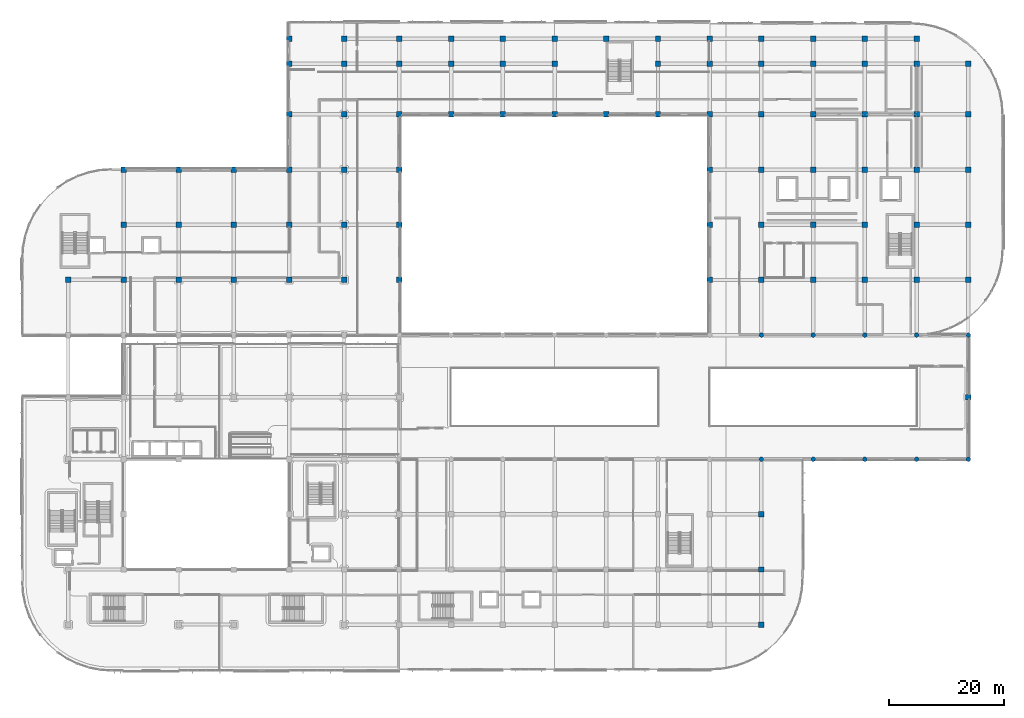
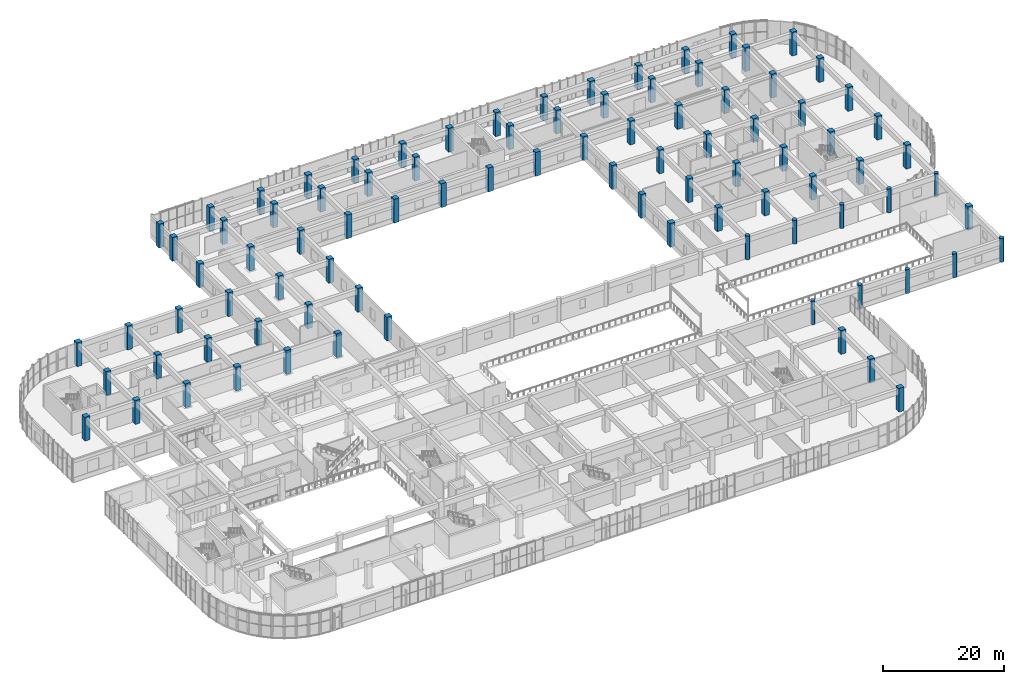
# One storey, part 3 of 86: 91 columns.
"""IFC4 building model written with IfcOpenShell, lengths in metres."""

from ifc_helpers import new_model, si_unit, direction, frame, origin, origin_2d, place, context, subcontext, project, spatial, rectangle, circle, extrude, material, material_profile, profile_set, type_object, element, save


model = new_model("IFC4")

# Units and contexts
model_context = context("Model", 3, precision=1e-05, world=origin(), true_north=direction((0.0, 1.0)))
body_context = subcontext(model_context, "Body", "Model", "MODEL_VIEW")
ifc_project = project(units=[si_unit("LENGTHUNIT", "METRE"), si_unit("AREAUNIT", "SQUARE_METRE"), si_unit("VOLUMEUNIT", "CUBIC_METRE"), si_unit("PLANEANGLEUNIT", "RADIAN"), si_unit("MASSUNIT", "GRAM", prefix="KILO")], contexts=[model_context])

# Site, building, storey
site_placement = place(None, origin())
site = spatial("IfcSite", under=ifc_project, at=site_placement, CompositionType="ELEMENT")
building_placement = place(site_placement, origin())
building = spatial("IfcBuilding", under=site, at=building_placement, Name="Cendralis Terraced Arcade", CompositionType="ELEMENT")
storey_placement = place(building_placement, frame((0.0, 0.0, 5.39990234375)))
storey = spatial("IfcBuildingStorey", under=building, at=storey_placement, Name="L01", CompositionType="ELEMENT", Elevation=5.39990234375)

# Columns
ifc_material = material(Name="Concrete f'c 42 MPa", Category="concrete")
ifc_material_profile_1 = material_profile(ifc_material, rectangle(XDim=0.949951171875, YDim=0.949951171875, at=origin_2d()), Name="RC-COL-950x950", Category="LoadBearing")
ifc_profile_set_1 = profile_set([ifc_material_profile_1], Name="Concrete f'c 42 MPa")
column_type_1 = type_object("IfcColumnType", Name="COL-950", PredefinedType="COLUMN", material=ifc_profile_set_1)
for number, where, z_axis, x_axis, name in (
    (1, (85.199951171875, 98.39990234375, 0.0), (0.0, 0.0, 1.0), (1.0, 0.0, 0.0), "Reinforced Concrete Column 10-L (L01)"),
    (2, (85.199951171875, 107.199951171875, 0.0), (0.0, 0.0, 1.0), (1.0, 0.0, 0.0), "Reinforced Concrete Column 10-M (L01)"),
    (3, (85.199951171875, 111.60009765625, 0.0), (0.0, 0.0, 1.0), (1.0, 0.0, 0.0), "Reinforced Concrete Column 10-N (L01)"),
    (4, (94.199951171875, 98.39990234375, 0.0), (0.0, 0.0, 1.0), (1.0, 0.0, 0.0), "Reinforced Concrete Column 11-L (L01)"),
    (5, (94.199951171875, 107.199951171875, 0.0), (0.0, 0.0, 1.0), (1.0, 0.0, 0.0), "Reinforced Concrete Column 11-M (L01)"),
    (6, (94.199951171875, 111.60009765625, 0.0), (0.0, 0.0, 1.0), (1.0, 0.0, 0.0), "Reinforced Concrete Column 11-N (L01)"),
    (7, (103.199951171875, 98.39990234375, 0.0), (0.0, 0.0, 1.0), (1.0, 0.0, 0.0), "Reinforced Concrete Column 12-L (L01)"),
    (8, (103.199951171875, 111.60009765625, 0.0), (0.0, 0.0, 1.0), (1.0, 0.0, 0.0), "Reinforced Concrete Column 12-N (L01)"),
    (9, (112.199951171875, 98.39990234375, 0.0), (0.0, 0.0, 1.0), (1.0, 0.0, 0.0), "Reinforced Concrete Column 13-L (L01)"),
    (10, (112.199951171875, 107.199951171875, 0.0), (0.0, 0.0, 1.0), (1.0, 0.0, 0.0), "Reinforced Concrete Column 13-M (L01)"),
    (11, (112.199951171875, 111.60009765625, 0.0), (0.0, 0.0, 1.0), (1.0, 0.0, 0.0), "Reinforced Concrete Column 13-N (L01)"),
    (12, (121.199951171875, 69.60009765625, 0.0), (0.0, 0.0, 1.0), (1.0, 0.0, 0.0), "Reinforced Concrete Column 14-H (L01)"),
    (13, (121.199951171875, 79.199951171875, 0.0), (0.0, 0.0, 1.0), (1.0, 0.0, 0.0), "Reinforced Concrete Column 14-J (L01)"),
    (14, (121.199951171875, 88.800048828125, 0.0), (0.0, 0.0, 1.0), (1.0, 0.0, 0.0), "Reinforced Concrete Column 14-K (L01)"),
    (15, (121.199951171875, 98.39990234375, 0.0), (0.0, 0.0, 1.0), (1.0, 0.0, 0.0), "Reinforced Concrete Column 14-L (L01)"),
    (16, (121.199951171875, 107.199951171875, 0.0), (0.0, 0.0, 1.0), (1.0, 0.0, 0.0), "Reinforced Concrete Column 14-M (L01)"),
    (17, (121.199951171875, 111.60009765625, 0.0), (0.0, 0.0, 1.0), (1.0, 0.0, 0.0), "Reinforced Concrete Column 14-N (L01)"),
    (18, (130.199951171875, 9.60009765625, 0.0), (0.0, 0.0, 1.0), (1.0, 0.0, 0.0), "Reinforced Concrete Column 15-B (L01)"),
    (19, (130.199951171875, 19.199951171875, 0.0), (0.0, 0.0, 1.0), (1.0, 0.0, 0.0), "Reinforced Concrete Column 15-C (L01)"),
    (20, (130.199951171875, 28.800048828125, 0.0), (0.0, 0.0, 1.0), (1.0, 0.0, 0.0), "Reinforced Concrete Column 15-D (L01)"),
    (21, (130.199951171875, 69.60009765625, 0.0), (0.0, 0.0, 1.0), (1.0, 0.0, 0.0), "Reinforced Concrete Column 15-H (L01)"),
    (22, (130.199951171875, 79.199951171875, 0.0), (0.0, 0.0, 1.0), (1.0, 0.0, 0.0), "Reinforced Concrete Column 15-J (L01)"),
    (23, (130.199951171875, 88.800048828125, 0.0), (0.0, 0.0, 1.0), (1.0, 0.0, 0.0), "Reinforced Concrete Column 15-K (L01)"),
    (24, (130.199951171875, 98.39990234375, 0.0), (0.0, 0.0, 1.0), (1.0, 0.0, 0.0), "Reinforced Concrete Column 15-L (L01)"),
    (25, (130.199951171875, 107.199951171875, 0.0), (0.0, 0.0, 1.0), (1.0, 0.0, 0.0), "Reinforced Concrete Column 15-M (L01)"),
    (26, (130.199951171875, 111.60009765625, 0.0), (0.0, 0.0, 1.0), (1.0, 0.0, 0.0), "Reinforced Concrete Column 15-N (L01)"),
    (27, (139.199951171875, 69.60009765625, 0.0), (0.0, 0.0, 1.0), (1.0, 0.0, 0.0), "Reinforced Concrete Column 16-H (L01)"),
    (28, (139.199951171875, 79.199951171875, 0.0), (0.0, 0.0, 1.0), (1.0, 0.0, 0.0), "Reinforced Concrete Column 16-J (L01)"),
    (29, (139.199951171875, 88.800048828125, 0.0), (0.0, 0.0, 1.0), (1.0, 0.0, 0.0), "Reinforced Concrete Column 16-K (L01)"),
    (30, (139.199951171875, 98.39990234375, 0.0), (0.0, 0.0, 1.0), (1.0, 0.0, 0.0), "Reinforced Concrete Column 16-L (L01)"),
    (31, (139.199951171875, 107.199951171875, 0.0), (0.0, 0.0, 1.0), (1.0, 0.0, 0.0), "Reinforced Concrete Column 16-M (L01)"),
    (32, (139.199951171875, 111.60009765625, 0.0), (0.0, 0.0, 1.0), (1.0, 0.0, 0.0), "Reinforced Concrete Column 16-N (L01)"),
    (33, (148.199951171875, 69.60009765625, 0.0), (0.0, 0.0, 1.0), (1.0, 0.0, 0.0), "Reinforced Concrete Column 17-H (L01)"),
    (34, (148.199951171875, 79.199951171875, 0.0), (0.0, 0.0, 1.0), (1.0, 0.0, 0.0), "Reinforced Concrete Column 17-J (L01)"),
    (35, (148.199951171875, 88.800048828125, 0.0), (0.0, 0.0, 1.0), (1.0, 0.0, 0.0), "Reinforced Concrete Column 17-K (L01)"),
    (36, (148.199951171875, 98.39990234375, 0.0), (0.0, 0.0, 1.0), (1.0, 0.0, 0.0), "Reinforced Concrete Column 17-L (L01)"),
    (37, (148.199951171875, 107.199951171875, 0.0), (0.0, 0.0, 1.0), (1.0, 0.0, 0.0), "Reinforced Concrete Column 17-M (L01)"),
    (38, (148.199951171875, 111.60009765625, 0.0), (0.0, 0.0, 1.0), (1.0, 0.0, 0.0), "Reinforced Concrete Column 17-N (L01)"),
    (39, (157.199951171875, 69.60009765625, 0.0), (0.0, 0.0, 1.0), (1.0, 0.0, 0.0), "Reinforced Concrete Column 18-H (L01)"),
    (40, (157.199951171875, 79.199951171875, 0.0), (0.0, 0.0, 1.0), (1.0, 0.0, 0.0), "Reinforced Concrete Column 18-J (L01)"),
    (41, (157.199951171875, 88.800048828125, 0.0), (0.0, 0.0, 1.0), (1.0, 0.0, 0.0), "Reinforced Concrete Column 18-K (L01)"),
    (42, (157.199951171875, 98.39990234375, 0.0), (0.0, 0.0, 1.0), (1.0, 0.0, 0.0), "Reinforced Concrete Column 18-L (L01)"),
    (43, (157.199951171875, 107.199951171875, 0.0), (0.0, 0.0, 1.0), (1.0, 0.0, 0.0), "Reinforced Concrete Column 18-M (L01)"),
    (44, (157.199951171875, 111.60009765625, 0.0), (0.0, 0.0, 1.0), (1.0, 0.0, 0.0), "Reinforced Concrete Column 18-N (L01)"),
    (45, (166.199951171875, 49.199951171875, 0.0), (0.0, 0.0, 1.0), (1.0, 0.0, 0.0), "Reinforced Concrete Column 19-F (L01)"),
    (46, (166.199951171875, 69.60009765625, 0.0), (0.0, 0.0, 1.0), (1.0, 0.0, 0.0), "Reinforced Concrete Column 19-H (L01)"),
    (47, (166.199951171875, 79.199951171875, 0.0), (0.0, 0.0, 1.0), (1.0, 0.0, 0.0), "Reinforced Concrete Column 19-J (L01)"),
    (48, (166.199951171875, 88.800048828125, 0.0), (0.0, 0.0, 1.0), (1.0, 0.0, 0.0), "Reinforced Concrete Column 19-K (L01)"),
    (49, (166.199951171875, 98.39990234375, 0.0), (0.0, 0.0, 1.0), (1.0, 0.0, 0.0), "Reinforced Concrete Column 19-L (L01)"),
    (50, (166.199951171875, 107.199951171875, 0.0), (0.0, 0.0, 1.0), (1.0, 0.0, 0.0), "Reinforced Concrete Column 19-M (L01)"),
    (51, (9.60009765625, 69.60009765625, 0.0), (0.0, 0.0, 1.0), (1.0, 0.0, 0.0), "Reinforced Concrete Column 2-H (L01)"),
    (52, (19.199951171875, 69.60009765625, 0.0), (0.0, 0.0, 1.0), (1.0, 0.0, 0.0), "Reinforced Concrete Column 3-H (L01)"),
    (53, (19.199951171875, 79.199951171875, 0.0), (0.0, 0.0, 1.0), (1.0, 0.0, 0.0), "Reinforced Concrete Column 3-J (L01)"),
    (54, (19.199951171875, 88.800048828125, 0.0), (0.0, 0.0, 1.0), (1.0, 0.0, 0.0), "Reinforced Concrete Column 3-K (L01)"),
    (55, (28.800048828125, 69.60009765625, 0.0), (0.0, 0.0, 1.0), (1.0, 0.0, 0.0), "Reinforced Concrete Column 4-H (L01)"),
    (56, (28.800048828125, 79.199951171875, 0.0), (0.0, 0.0, 1.0), (1.0, 0.0, 0.0), "Reinforced Concrete Column 4-J (L01)"),
    (57, (28.800048828125, 88.800048828125, 0.0), (0.0, 0.0, 1.0), (1.0, 0.0, 0.0), "Reinforced Concrete Column 4-K (L01)"),
    (58, (38.39990234375, 69.60009765625, 0.0), (0.0, 0.0, 1.0), (1.0, 0.0, 0.0), "Reinforced Concrete Column 5-H (L01)"),
    (59, (38.39990234375, 79.199951171875, 0.0), (0.0, 0.0, 1.0), (1.0, 0.0, 0.0), "Reinforced Concrete Column 5-J (L01)"),
    (60, (38.39990234375, 88.800048828125, 0.0), (0.0, 0.0, 1.0), (1.0, 0.0, 0.0), "Reinforced Concrete Column 5-K (L01)"),
    (61, (48.0, 69.60009765625, 0.0), (0.0, 0.0, 1.0), (1.0, 0.0, 0.0), "Reinforced Concrete Column 6-H (L01)"),
    (62, (48.0, 79.199951171875, 0.0), (0.0, 0.0, 1.0), (1.0, 0.0, 0.0), "Reinforced Concrete Column 6-J (L01)"),
    (63, (48.0, 88.800048828125, 0.0), (0.0, 0.0, 1.0), (1.0, 0.0, 0.0), "Reinforced Concrete Column 6-K (L01)"),
    (64, (48.0, 98.39990234375, 0.0), (0.0, 0.0, 1.0), (1.0, 0.0, 0.0), "Reinforced Concrete Column 6-L (L01)"),
    (65, (48.0, 107.199951171875, 0.0), (0.0, 0.0, 1.0), (1.0, 0.0, 0.0), "Reinforced Concrete Column 6-M (L01)"),
    (66, (48.0, 111.60009765625, 0.0), (0.0, 0.0, 1.0), (1.0, 0.0, 0.0), "Reinforced Concrete Column 6-N (L01)"),
    (67, (57.60009765625, 69.60009765625, 0.0), (0.0, 0.0, 1.0), (1.0, 0.0, 0.0), "Reinforced Concrete Column 7-H (L01)"),
    (68, (57.60009765625, 79.199951171875, 0.0), (0.0, 0.0, 1.0), (1.0, 0.0, 0.0), "Reinforced Concrete Column 7-J (L01)"),
    (69, (57.60009765625, 88.800048828125, 0.0), (0.0, 0.0, 1.0), (1.0, 0.0, 0.0), "Reinforced Concrete Column 7-K (L01)"),
    (70, (57.60009765625, 98.39990234375, 0.0), (0.0, 0.0, 1.0), (1.0, 0.0, 0.0), "Reinforced Concrete Column 7-L (L01)"),
    (71, (57.60009765625, 107.199951171875, 0.0), (0.0, 0.0, 1.0), (1.0, 0.0, 0.0), "Reinforced Concrete Column 7-M (L01)"),
    (72, (57.60009765625, 111.60009765625, 0.0), (0.0, 0.0, 1.0), (1.0, 0.0, 0.0), "Reinforced Concrete Column 7-N (L01)"),
    (73, (67.199951171875, 69.60009765625, 0.0), (0.0, 0.0, 1.0), (1.0, 0.0, 0.0), "Reinforced Concrete Column 8-H (L01)"),
    (74, (67.199951171875, 79.199951171875, 0.0), (0.0, 0.0, 1.0), (1.0, 0.0, 0.0), "Reinforced Concrete Column 8-J (L01)"),
    (75, (67.199951171875, 88.800048828125, 0.0), (0.0, 0.0, 1.0), (1.0, 0.0, 0.0), "Reinforced Concrete Column 8-K (L01)"),
    (76, (67.199951171875, 98.39990234375, 0.0), (0.0, 0.0, 1.0), (1.0, 0.0, 0.0), "Reinforced Concrete Column 8-L (L01)"),
    (77, (67.199951171875, 107.199951171875, 0.0), (0.0, 0.0, 1.0), (1.0, 0.0, 0.0), "Reinforced Concrete Column 8-M (L01)"),
    (78, (67.199951171875, 111.60009765625, 0.0), (0.0, 0.0, 1.0), (1.0, 0.0, 0.0), "Reinforced Concrete Column 8-N (L01)"),
    (79, (76.199951171875, 98.39990234375, 0.0), (0.0, 0.0, 1.0), (1.0, 0.0, 0.0), "Reinforced Concrete Column 9-L (L01)"),
    (80, (76.199951171875, 107.199951171875, 0.0), (0.0, 0.0, 1.0), (1.0, 0.0, 0.0), "Reinforced Concrete Column 9-M (L01)"),
    (81, (76.199951171875, 111.60009765625, 0.0), (0.0, 0.0, 1.0), (1.0, 0.0, 0.0), "Reinforced Concrete Column 9-N (L01)"),
):
    element("IfcColumn", number, at=place(storey_placement, frame(where, z_axis=z_axis, x_axis=x_axis)), inside=storey, type_object=column_type_1, Name=name, PredefinedType="COLUMN", context=body_context, shape_type="SweptSolid", body=[
        extrude(rectangle(XDim=0.949951171875, YDim=0.949951171875, at=origin_2d()), origin(), (0.0, 0.0, 1.0), 4.800048828125),
    ])
ifc_material_profile_2 = material_profile(ifc_material, circle(Radius=0.39990234375, at=origin_2d()), Name="RC-COL-D800", Category="LoadBearing")
ifc_profile_set_2 = profile_set([ifc_material_profile_2], Name="Concrete f'c 42 MPa")
column_type_2 = type_object("IfcColumnType", Name="COL-D800", PredefinedType="COLUMN", material=ifc_profile_set_2)
for number, where, z_axis, x_axis, name in (
    (82, (130.199951171875, 38.39990234375, 0.0), (0.0, 0.0, 1.0), (1.0, 0.0, 0.0), "Reinforced Concrete Column 15-E (L01)"),
    (83, (130.199951171875, 60.0, 0.0), (0.0, 0.0, 1.0), (1.0, 0.0, 0.0), "Reinforced Concrete Column 15-G (L01)"),
    (84, (139.199951171875, 38.39990234375, 0.0), (0.0, 0.0, 1.0), (1.0, 0.0, 0.0), "Reinforced Concrete Column 16-E (L01)"),
    (85, (139.199951171875, 60.0, 0.0), (0.0, 0.0, 1.0), (1.0, 0.0, 0.0), "Reinforced Concrete Column 16-G (L01)"),
    (86, (148.199951171875, 38.39990234375, 0.0), (0.0, 0.0, 1.0), (1.0, 0.0, 0.0), "Reinforced Concrete Column 17-E (L01)"),
    (87, (148.199951171875, 60.0, 0.0), (0.0, 0.0, 1.0), (1.0, 0.0, 0.0), "Reinforced Concrete Column 17-G (L01)"),
    (88, (157.199951171875, 38.39990234375, 0.0), (0.0, 0.0, 1.0), (1.0, 0.0, 0.0), "Reinforced Concrete Column 18-E (L01)"),
    (89, (157.199951171875, 60.0, 0.0), (0.0, 0.0, 1.0), (1.0, 0.0, 0.0), "Reinforced Concrete Column 18-G (L01)"),
    (90, (166.199951171875, 38.39990234375, 0.0), (0.0, 0.0, 1.0), (1.0, 0.0, 0.0), "Reinforced Concrete Column 19-E (L01)"),
    (91, (166.199951171875, 60.0, 0.0), (0.0, 0.0, 1.0), (1.0, 0.0, 0.0), "Reinforced Concrete Column 19-G (L01)"),
):
    element("IfcColumn", number, at=place(storey_placement, frame(where, z_axis=z_axis, x_axis=x_axis)), inside=storey, type_object=column_type_2, Name=name, PredefinedType="COLUMN", context=body_context, shape_type="SweptSolid", body=[
        extrude(circle(Radius=0.39990234375, at=origin_2d()), origin(), (0.0, 0.0, 1.0), 4.800048828125),
    ])

save(model, "model.ifc")
